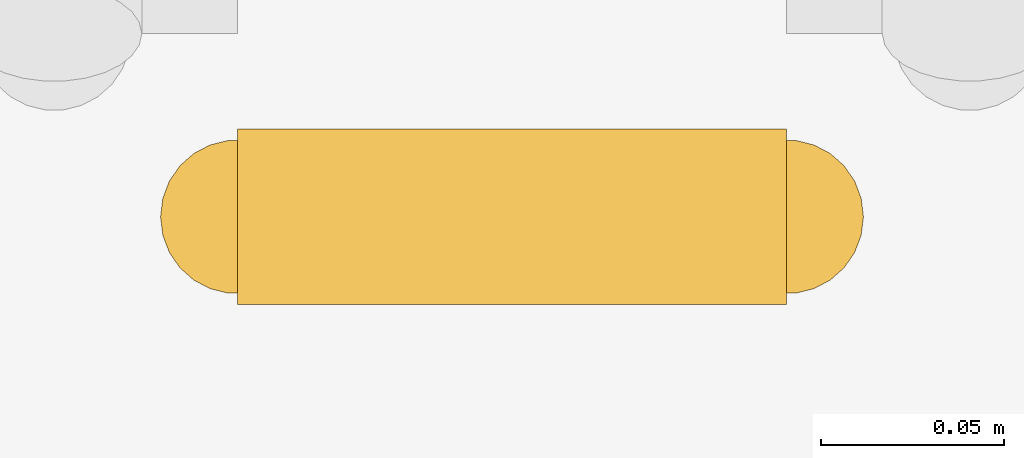
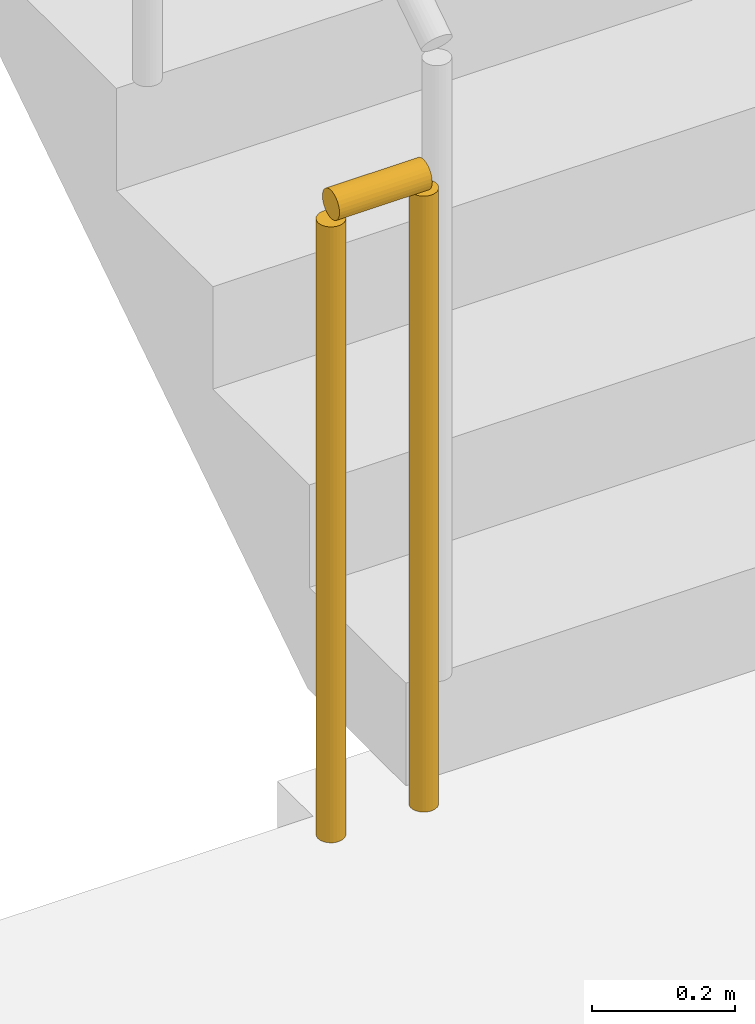
# One storey, part 17 of 20: 1 railing.
"""IFC4 building model written with IfcOpenShell, lengths in metres."""

from ifc_helpers import new_model, si_unit, direction, frame, origin, origin_2d, place, context, subcontext, project, spatial, circle, extrude, material, type_object, element, save


model = new_model("IFC4")

# Units and contexts
model_context = context("Model", 3, precision=1e-05, world=origin(), true_north=direction((0.0, 1.0)))
body_context = subcontext(model_context, "Body", "Model", "MODEL_VIEW")
ifc_project = project(units=[si_unit("LENGTHUNIT", "METRE"), si_unit("AREAUNIT", "SQUARE_METRE"), si_unit("VOLUMEUNIT", "CUBIC_METRE"), si_unit("PLANEANGLEUNIT", "RADIAN"), si_unit("MASSUNIT", "GRAM", prefix="KILO")], contexts=[model_context])

# Site, building, storey
site_placement = place(None, origin())
site = spatial("IfcSite", under=ifc_project, at=site_placement, CompositionType="ELEMENT")
building_placement = place(site_placement, origin())
building = spatial("IfcBuilding", under=site, at=building_placement, Name="Saffron Iwan Residences", CompositionType="ELEMENT")
storey_placement = place(building_placement, frame((0.0, 0.0, 146.5)))
storey = spatial("IfcBuildingStorey", under=building, at=storey_placement, Name="L38", CompositionType="ELEMENT", Elevation=146.5)

# Railing
ifc_material = material(Name="Steel S355", Category="steel")
railing_type = type_object("IfcRailingType", Name="Stair guard 1100", PredefinedType="GUARDRAIL", material=ifc_material)
railing_placement = place(storey_placement, frame((69.699951171875, 67.800048828125, 0.0)))
element("IfcRailing", 1, at=railing_placement, inside=storey, type_object=railing_type, Name="L38 ST-E stair guard 2", PredefinedType="GUARDRAIL", context=body_context, shape_type="SweptSolid", body=[
    extrude(circle(Radius=0.02392578125, at=origin_2d()), frame((0.0, 0.0, 1.076171875), z_axis=(-1.0, 0.0, 0.0), x_axis=(0.0, -1.0, 0.0)), (0.0, 0.0, 1.0), 0.14990234375),
    extrude(circle(Radius=0.02099609375, at=origin_2d()), origin(), (0.0, 0.0, 1.0), 1.052001953125),
    extrude(circle(Radius=0.02099609375, at=origin_2d()), frame((-0.14990234375, 0.0, 0.0)), (0.0, 0.0, 1.0), 1.052001953125),
])

save(model, "model.ifc")
